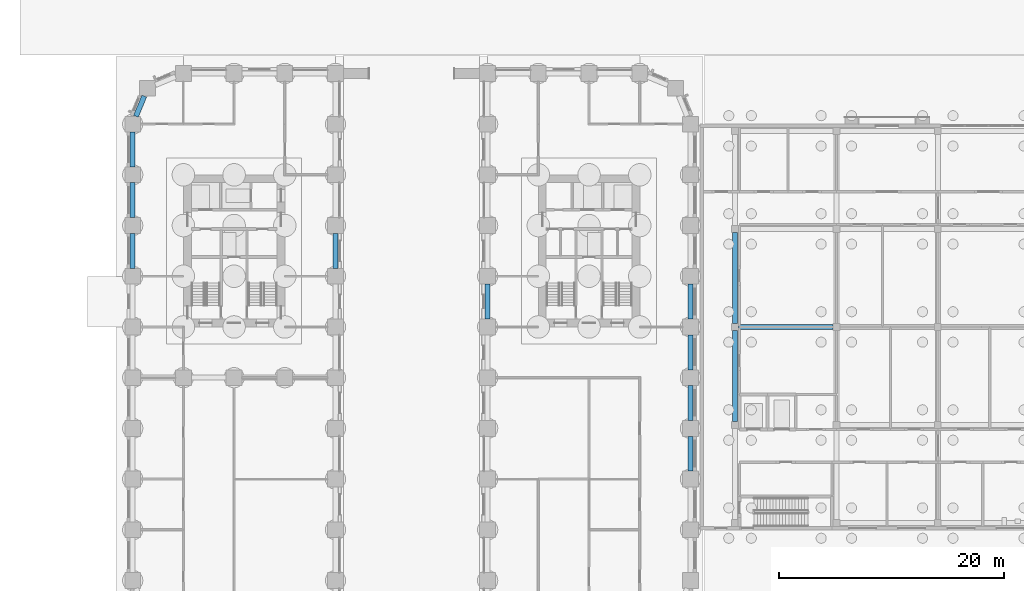
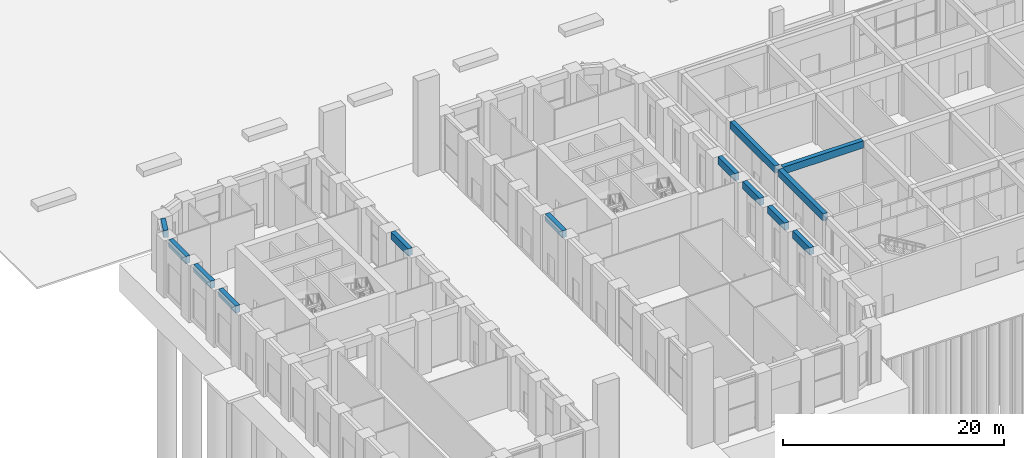
# One storey, part 5 of 31: 13 beams.
"""IFC4 building model written with IfcOpenShell, lengths in metres."""

import ifcopenshell
import ifcopenshell.guid

model = None  # the IFC model being written
_history = None  # IfcOwnerHistory: only IFC2X3 demands one
_inside = {}  # id of a spatial element -> (the spatial element, [elements in it])
_under = {}  # id of a project, library or spatial element -> (it, [spatial elements below it])
_declared = {}  # id of a project -> (the project, [libraries it declares])
_typed = {}  # id of a type object -> (the type object, [elements of that type])
_made_of = {}  # id of a material, layer set ... -> (it, [elements and type objects made of it])


def new_model(schema):
    """Start an empty IFC model of exactly this schema.

    Asked for "IFC4X3", IfcOpenShell would pick the latest addendum, in which some entities
    have other attributes; the version numbers below select the first issue.
    IFC2X3 requires an IfcOwnerHistory on every rooted entity: one is made here for all.
    """
    global model, _history
    if schema == "IFC4X3":
        model = ifcopenshell.file(schema_version=(4, 3, 0, 0))
    else:
        model = ifcopenshell.file(schema=schema)
    _inside.clear()
    _under.clear()
    _declared.clear()
    _typed.clear()
    _made_of.clear()
    _history = None
    if model.schema == "IFC2X3":
        org = make("IfcOrganization", Name="unknown")
        user = make(
            "IfcPersonAndOrganization",
            ThePerson=make("IfcPerson", FamilyName="unknown"),
            TheOrganization=org,
        )
        app = make(
            "IfcApplication",
            ApplicationDeveloper=org,
            Version="unknown",
            ApplicationFullName="unknown",
            ApplicationIdentifier="unknown",
        )
        _history = make(
            "IfcOwnerHistory",
            OwningUser=user,
            OwningApplication=app,
            ChangeAction="ADDED",
            CreationDate=0,
        )
    return model


def make(cls, **values):
    """One entity of the class cls with the attributes given. An attribute that is None is left unset."""
    return model.create_entity(
        cls, **{name: value for name, value in values.items() if value is not None}
    )


def rooted(cls, **values):
    """An entity with a GlobalId (a new one), such as an element, a storey or a relation."""
    return make(cls, GlobalId=ifcopenshell.guid.new(), OwnerHistory=_history, **values)


def si_unit(unit_type, name, prefix=None):
    """IfcSIUnit, for example si_unit("LENGTHUNIT", "METRE", prefix="MILLI")."""
    return make("IfcSIUnit", UnitType=unit_type, Prefix=prefix, Name=name)


def assignment(units):
    """IfcUnitAssignment: the units of a project."""
    return None if units is None else make("IfcUnitAssignment", Units=units)


def point(xyz):
    """IfcCartesianPoint."""
    return None if xyz is None else make("IfcCartesianPoint", Coordinates=xyz)


def direction(xyz):
    """IfcDirection."""
    return None if xyz is None else make("IfcDirection", DirectionRatios=xyz)


def frame(location, z_axis=None, x_axis=None):
    """IfcAxis2Placement3D, a coordinate frame: its origin and axes. An axis left out is left unset."""
    return make(
        "IfcAxis2Placement3D",
        Location=point(location),
        Axis=direction(z_axis),
        RefDirection=direction(x_axis),
    )


def frame_2d(location, x_axis=None):
    """IfcAxis2Placement2D, a coordinate frame in the plane: its origin and x axis."""
    return make(
        "IfcAxis2Placement2D", Location=point(location), RefDirection=direction(x_axis)
    )


def origin():
    """The frame at (0, 0, 0) with its axes left unset."""
    return frame((0.0, 0.0, 0.0))


def origin_2d():
    """The frame at (0, 0) in the plane with its x axis left unset."""
    return frame_2d((0.0, 0.0))


def place(relative_to, where):
    """IfcLocalPlacement: puts the frame where relative to a parent placement (None: the world)."""
    return make(
        "IfcLocalPlacement", PlacementRelTo=relative_to, RelativePlacement=where
    )


def context(
    kind, dimensions, precision=None, world=None, true_north=None, identifier=None
):
    """IfcGeometricRepresentationContext, for example the 3D "Model" context."""
    return make(
        "IfcGeometricRepresentationContext",
        ContextIdentifier=identifier,
        ContextType=kind,
        CoordinateSpaceDimension=dimensions,
        Precision=precision,
        WorldCoordinateSystem=world,
        TrueNorth=true_north,
    )


def subcontext(parent, identifier, kind, view, scale=None):
    """IfcGeometricRepresentationSubContext, for example "Body" below "Model"."""
    return make(
        "IfcGeometricRepresentationSubContext",
        ContextIdentifier=identifier,
        ContextType=kind,
        ParentContext=parent,
        TargetScale=scale,
        TargetView=view,
    )


def project(units=None, contexts=None):
    """IfcProject with its units and contexts."""
    return rooted(
        "IfcProject",
        Name="project",
        RepresentationContexts=contexts,
        UnitsInContext=assignment(units),
    )


def spatial(cls, under=None, at=None, **own):
    """A site, building, storey or space (cls), placed at a placement, below another one or the project."""
    s = rooted(cls, ObjectPlacement=at, **own)
    if under is not None:
        _under.setdefault(under.id(), (under, []))[1].append(s)
    return s


def profile(cls, at=None, kind="AREA", **sizes):
    """A parametric profile (cls). Its sizes go by their IFC names, for example OverallWidth=200.0."""
    return make(cls, ProfileType=kind, Position=at, **sizes)


def rectangle(**sizes):
    """IfcRectangleProfileDef."""
    return profile("IfcRectangleProfileDef", **sizes)


def extrude(swept, where, along, depth):
    """IfcExtrudedAreaSolid: the profile swept, set in the frame where, extruded along a direction by depth."""
    return make(
        "IfcExtrudedAreaSolid",
        SweptArea=swept,
        Position=where,
        ExtrudedDirection=direction(along),
        Depth=depth,
    )


def shape(context_of_items, identifier, shape_type, items):
    """IfcShapeRepresentation: the items that make up one representation, for example the "Body"."""
    return make(
        "IfcShapeRepresentation",
        ContextOfItems=context_of_items,
        RepresentationIdentifier=identifier,
        RepresentationType=shape_type,
        Items=items,
    )


def material(Name=None, Category=None):
    """IfcMaterial."""
    return make("IfcMaterial", Name=Name, Category=Category)


def material_profile(
    of_material, cross_section, Name=None, Category=None, Priority=None
):
    """IfcMaterialProfile: a cross section and its material."""
    return make(
        "IfcMaterialProfile",
        Name=Name,
        Material=of_material,
        Profile=cross_section,
        Priority=Priority,
        Category=Category,
    )


def profile_set(profiles, Name=None, composite=None):
    """IfcMaterialProfileSet."""
    return make(
        "IfcMaterialProfileSet",
        Name=Name,
        MaterialProfiles=profiles,
        CompositeProfile=composite,
    )


def made_of(thing, what):
    """Note that an element or type object is made of a material, layer set ...; save() writes the relation."""
    if what is not None:
        _made_of.setdefault(what.id(), (what, []))[1].append(thing)
    return thing


def type_object(cls, material=None, **own):
    """A type object (cls), such as IfcWallType, which elements share."""
    return made_of(rooted(cls, **own), material)


def element(
    cls,
    number,
    at=None,
    inside=None,
    cuts=None,
    type_object=None,
    material=None,
    context=None,
    identifier="Body",
    shape_type=None,
    held_by="IfcProductDefinitionShape",
    body=None,
    shapes=None,
    **own,
):
    """One element of the class cls, such as IfcWall. Its Tag is "e" and its number.

    at: its placement. inside: the storey or other place that contains it. cuts: it is an
    opening in that element (IfcRelVoidsElement). A single representation is given by context,
    identifier, shape_type and body (its items); several are given by shapes. held_by: the class
    of the entity that holds the representations. save() writes the other relations.
    """
    e = rooted(cls, Tag="e%d" % number, ObjectPlacement=at, **own)
    if body is not None:
        shapes = [shape(context, identifier, shape_type, body)]
    if shapes is not None:
        e.Representation = make(held_by, Representations=shapes)
    if inside is not None:
        _inside.setdefault(inside.id(), (inside, []))[1].append(e)
    if cuts is not None:
        rooted(
            "IfcRelVoidsElement", RelatingBuildingElement=cuts, RelatedOpeningElement=e
        )
    if type_object is not None:
        _typed.setdefault(type_object.id(), (type_object, []))[1].append(e)
    return made_of(e, material)


def aggregate(whole, parts):
    """IfcRelAggregates: a whole, such as a stair, and the parts it consists of."""
    return rooted("IfcRelAggregates", RelatingObject=whole, RelatedObjects=parts)


def save(model, path):
    """Write the relations noted so far, then the file.

    IfcRelAggregates (storeys below a building ...), IfcRelContainedInSpatialStructure (elements
    in a storey), IfcRelDefinesByType, IfcRelAssociatesMaterial and IfcRelDeclares: one each for
    every whole, place, type object, material and project.
    """
    for whole, parts in _under.values():
        aggregate(whole, parts)
    for where, things in _inside.values():
        rooted(
            "IfcRelContainedInSpatialStructure",
            RelatedElements=things,
            RelatingStructure=where,
        )
    for kind, things in _typed.values():
        rooted("IfcRelDefinesByType", RelatedObjects=things, RelatingType=kind)
    for what, things in _made_of.values():
        rooted("IfcRelAssociatesMaterial", RelatedObjects=things, RelatingMaterial=what)
    for by, libraries in _declared.values():
        rooted("IfcRelDeclares", RelatingContext=by, RelatedDefinitions=libraries)
    model.write(path)


model = new_model("IFC4")

# Units and contexts
model_context = context("Model", 3, precision=1e-05, world=origin(), true_north=direction((0.0, 1.0)))
body_context = subcontext(model_context, "Body", "Model", "MODEL_VIEW")
ifc_project = project(units=[si_unit("LENGTHUNIT", "METRE"), si_unit("AREAUNIT", "SQUARE_METRE"), si_unit("VOLUMEUNIT", "CUBIC_METRE"), si_unit("PLANEANGLEUNIT", "RADIAN"), si_unit("MASSUNIT", "GRAM", prefix="KILO")], contexts=[model_context])

# Site, building, storey
site_placement = place(None, origin())
site = spatial("IfcSite", under=ifc_project, at=site_placement, CompositionType="ELEMENT")
building_placement = place(site_placement, origin())
building = spatial("IfcBuilding", under=site, at=building_placement, Name="Girih Gate Residences", CompositionType="ELEMENT")
storey_placement = place(building_placement, origin())
storey = spatial("IfcBuildingStorey", under=building, at=storey_placement, Name="L00", CompositionType="ELEMENT", Elevation=0.0)

# Beams
ifc_material_1 = material(Name="Concrete C40/50", Category="concrete")
ifc_material_profile_1 = material_profile(ifc_material_1, rectangle(XDim=0.449951171875, YDim=0.800048828125, at=origin_2d()))
ifc_profile_set_1 = profile_set([ifc_material_profile_1], Name="Concrete C40/50")
beam_type_1 = type_object("IfcBeamType", Name="HC Beam 450x800 C40/50", PredefinedType="BEAM", material=ifc_profile_set_1)
beam_1_placement = place(storey_placement, frame((53.75, 27.0, 5.300048828125), z_axis=(1.0, 0.0, 0.0), x_axis=(0.0, 1.0, 0.0)))
element("IfcBeam", 1, at=beam_1_placement, inside=storey, type_object=beam_type_1, Name="L00 beam HC.1", PredefinedType="BEAM", context=body_context, shape_type="SweptSolid", body=[
    extrude(rectangle(XDim=0.449951171875, YDim=0.800048828125, at=origin_2d()), origin(), (0.0, 0.0, 1.0), 8.39990234375),
])
for number, where, z_axis, x_axis, name in (
    (2, (53.449951171875, 18.60009765625, 5.300048828125), (0.0, 1.0, 0.0), (-1.0, 0.0, 0.0), "L00 beam H1.2"),
    (3, (53.449951171875, 27.300048828125, 5.300048828125), (0.0, 1.0, 0.0), (-1.0, 0.0, 0.0), "L00 beam H1.3"),
):
    element("IfcBeam", number, at=place(storey_placement, frame(where, z_axis=z_axis, x_axis=x_axis)), inside=storey, type_object=beam_type_1, Name=name, PredefinedType="BEAM", context=body_context, shape_type="SweptSolid", body=[
        extrude(rectangle(XDim=0.449951171875, YDim=0.800048828125, at=origin_2d()), origin(), (0.0, 0.0, 1.0), 8.099853515625),
    ])
ifc_material_2 = material(Name="Concrete C60/75", Category="concrete")
ifc_material_profile_2 = material_profile(ifc_material_2, rectangle(XDim=0.449951171875, YDim=0.800048828125, at=origin_2d()))
ifc_profile_set_2 = profile_set([ifc_material_profile_2], Name="Concrete C60/75")
beam_type_2 = type_object("IfcBeamType", Name="Spandrel girder RC 450x800 Concrete C60/75", PredefinedType="BEAM", material=ifc_profile_set_2)
beam_2_placement = place(storey_placement, frame((1.028076171875, 47.48193359375, 5.60009765625), z_axis=(-0.382646180293, -0.923894961945, 0.0), x_axis=(0.923894961945, -0.382646180293, 0.0)))
element("IfcBeam", 4, at=beam_2_placement, inside=storey, type_object=beam_type_2, Name="Spandrel girder SP-P1LSE-P1K L00", PredefinedType="BEAM", context=body_context, shape_type="SweptSolid", body=[
    extrude(rectangle(XDim=0.449951171875, YDim=0.800048828125, at=origin_2d()), origin(), (0.0, 0.0, 1.0), 1.9287109375),
])
for number, where, z_axis, x_axis, name in (
    (5, (0.0, 44.300048828125, 5.60009765625), (0.0, -1.0, 0.0), (1.0, 0.0, 0.0), "Spandrel girder SP-P1K-P1J L00"),
    (6, (0.0, 39.800048828125, 5.60009765625), (0.0, -1.0, 0.0), (1.0, 0.0, 0.0), "Spandrel girder SP-P1J-P1I L00"),
    (7, (0.0, 35.300048828125, 5.60009765625), (0.0, -1.0, 0.0), (1.0, 0.0, 0.0), "Spandrel girder SP-P1I-P1H L00"),
    (8, (18.0, 32.199951171875, 5.60009765625), (0.0, 1.0, 0.0), (-1.0, 0.0, 0.0), "Spandrel girder SP-P5H-P5I L00"),
    (9, (49.5, 14.199951171875, 5.60009765625), (0.0, 1.0, 0.0), (-1.0, 0.0, 0.0), "Spandrel girder SP-P12D-P12E L00"),
    (10, (49.5, 18.699951171875, 5.60009765625), (0.0, 1.0, 0.0), (-1.0, 0.0, 0.0), "Spandrel girder SP-P12E-P12F L00"),
    (11, (49.5, 23.199951171875, 5.60009765625), (0.0, 1.0, 0.0), (-1.0, 0.0, 0.0), "Spandrel girder SP-P12F-P12G L00"),
    (12, (49.5, 27.699951171875, 5.60009765625), (0.0, 1.0, 0.0), (-1.0, 0.0, 0.0), "Spandrel girder SP-P12G-P12H L00"),
    (13, (31.5, 30.800048828125, 5.60009765625), (0.0, -1.0, 0.0), (1.0, 0.0, 0.0), "Spandrel girder SP-P8H-P8G L00"),
):
    element("IfcBeam", number, at=place(storey_placement, frame(where, z_axis=z_axis, x_axis=x_axis)), inside=storey, type_object=beam_type_2, Name=name, PredefinedType="BEAM", context=body_context, shape_type="SweptSolid", body=[
        extrude(rectangle(XDim=0.449951171875, YDim=0.800048828125, at=origin_2d()), origin(), (0.0, 0.0, 1.0), 3.10009765625),
    ])

save(model, "model.ifc")
